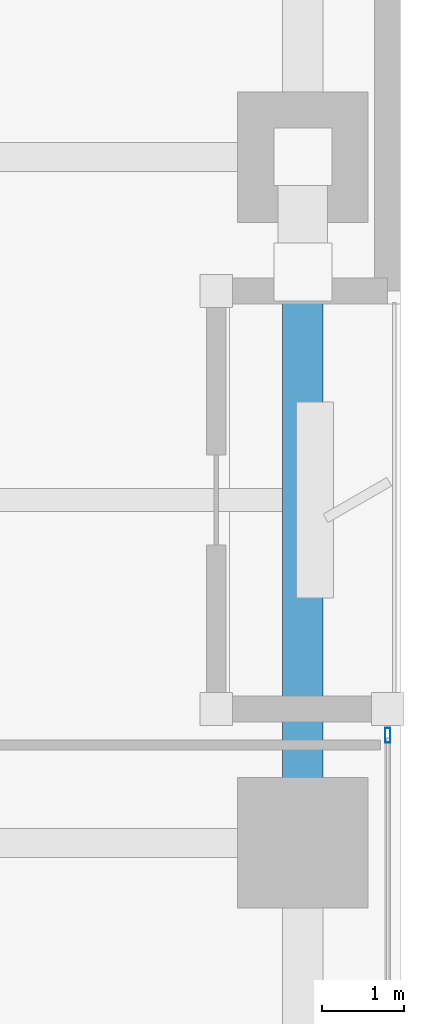
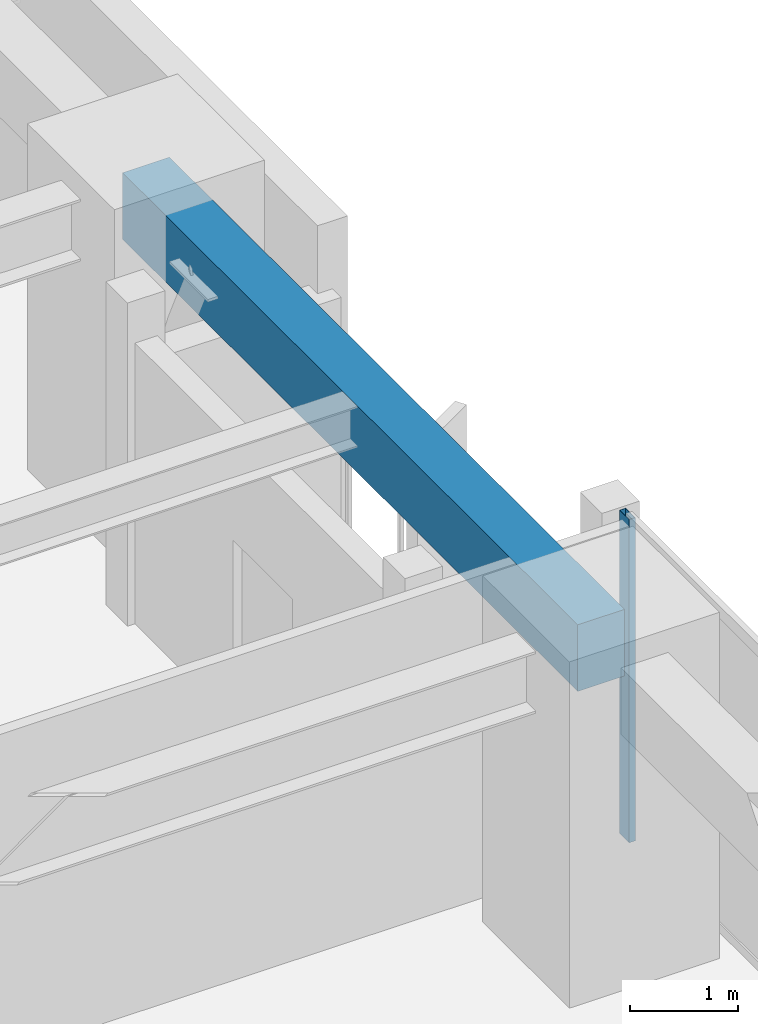
# One storey, part 13 of 26: 1 beam, 1 member, 1 element without a shape of its own.
"""IFC4 building model written with IfcOpenShell, lengths in metres."""

from ifc_helpers import new_model, si_unit, direction, frame, origin, origin_2d, place, context, subcontext, project, spatial, rectangle, hollow_rectangle, extrude, material, layer, layer_set, material_profile, profile_set, type_object, element, aggregate, save


model = new_model("IFC4")

# Units and contexts
model_context = context("Model", 3, precision=1e-05, world=origin(), true_north=direction((0.0, 1.0)))
body_context = subcontext(model_context, "Body", "Model", "MODEL_VIEW")
ifc_project = project(units=[si_unit("LENGTHUNIT", "METRE"), si_unit("AREAUNIT", "SQUARE_METRE"), si_unit("VOLUMEUNIT", "CUBIC_METRE"), si_unit("PLANEANGLEUNIT", "RADIAN"), si_unit("MASSUNIT", "GRAM", prefix="KILO")], contexts=[model_context])

# Site, building, storey
site_placement = place(None, origin())
site = spatial("IfcSite", under=ifc_project, at=site_placement, CompositionType="ELEMENT")
building_placement = place(site_placement, origin())
building = spatial("IfcBuilding", under=site, at=building_placement, Name="Kiyonajd Concourse Tower", CompositionType="ELEMENT")
storey_placement = place(building_placement, frame((0.0, 0.0, 72.89990234375)))
storey = spatial("IfcBuildingStorey", under=building, at=storey_placement, Name="L19", CompositionType="ELEMENT", Elevation=72.89990234375)

# Beam
ifc_material_1 = material(Name="Precast concrete C50/60", Category="concrete")
ifc_material_profile_1 = material_profile(ifc_material_1, rectangle(XDim=0.5, YDim=0.75, at=origin_2d()), Name="RCBM-500x750")
ifc_profile_set_1 = profile_set([ifc_material_profile_1], Name="Precast concrete C50/60")
beam_type = type_object("IfcBeamType", Name="BM-SPAN-RC", PredefinedType="SPANDREL", material=ifc_profile_set_1)
beam_placement = place(storey_placement, frame((78.0, 36.0, 3.26513671875), z_axis=(0.0, 1.0, 0.0), x_axis=(-1.0, 0.0, 0.0)))
element("IfcBeam", 1, at=beam_placement, inside=storey, type_object=beam_type, Name="L19 Perimeter Bundled Tube Spandrel", PredefinedType="SPANDREL", context=body_context, shape_type="SweptSolid", body=[
    extrude(rectangle(XDim=0.5, YDim=0.75, at=origin_2d()), origin(), (0.0, 0.0, 1.0), 8.39990234375),
])

# Curtain wall, member
ifc_material_2 = material(Name="Thermally Broken Anodised Aluminium", Category="aluminium")
ifc_layer = layer(ifc_material_2, 0.179931640625)
ifc_layer_set = layer_set([ifc_layer], Name="Thermally Broken Anodised Aluminium")
curtain_wall_type = type_object("IfcCurtainWallType", Name="CW-SYS-02", PredefinedType="NOTDEFINED", material=ifc_layer_set)
curtain_wall_placement = place(storey_placement, origin())
curtain_wall = element("IfcCurtainWall", 2, at=curtain_wall_placement, inside=storey, type_object=curtain_wall_type, Name="L19 Unitised Curtain Wall CW2", PredefinedType="NOTDEFINED")
ifc_material_profile_2 = material_profile(ifc_material_2, hollow_rectangle(XDim=0.06494140625, YDim=0.179931640625, WallThickness=0.00390625, at=origin_2d()), Name="MULL-65x180")
ifc_profile_set_2 = profile_set([ifc_material_profile_2], Name="Thermally Broken Anodised Aluminium")
member_type = type_object("IfcMemberType", Name="MB-CW-MULL1", PredefinedType="MULLION", material=ifc_profile_set_2)
member_placement = place(storey_placement, frame((79.0400390625, 37.3173828125, 0.0), z_axis=(0.0, 0.0, 1.0), x_axis=(1.0, 0.0, 0.0)))
member = element("IfcMember", 3, at=member_placement, type_object=member_type, Name="CW2 mullion 1", PredefinedType="MULLION", context=body_context, shape_type="SweptSolid", body=[
    extrude(hollow_rectangle(XDim=0.06494140625, YDim=0.179931640625, WallThickness=0.00390625, at=origin_2d()), origin(), (0.0, 0.0, 1.0), 3.64013671875),
])
aggregate(curtain_wall, [member])

save(model, "model.ifc")
